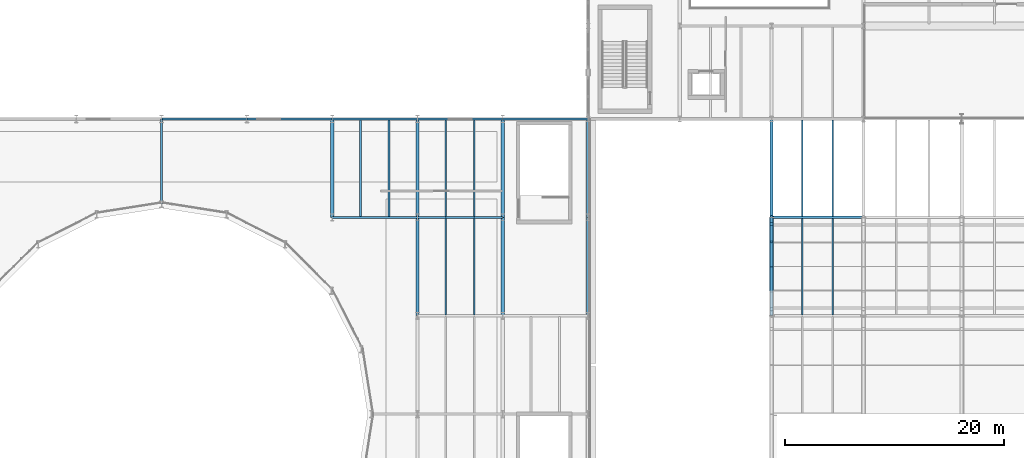
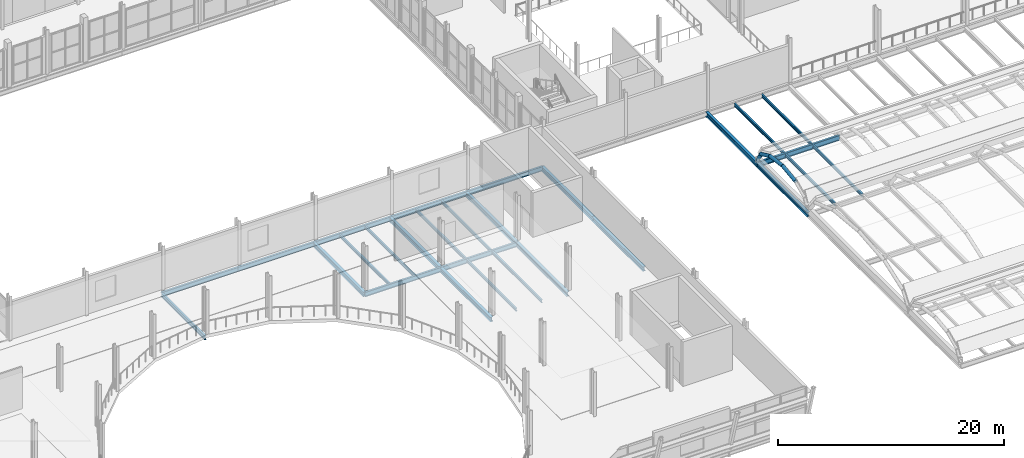
# One storey, part 21 of 63: 28 beams, 4 members.
"""IFC4 building model written with IfcOpenShell, lengths in metres."""

from ifc_helpers import new_model, si_unit, direction, frame, origin, origin_2d, place, context, subcontext, project, spatial, hollow_circle, i_section, extrude, material, material_profile, profile_set, type_object, element, save


model = new_model("IFC4")

# Units and contexts
model_context = context("Model", 3, precision=1e-05, world=origin(), true_north=direction((0.0, 1.0)))
body_context = subcontext(model_context, "Body", "Model", "MODEL_VIEW")
ifc_project = project(units=[si_unit("LENGTHUNIT", "METRE"), si_unit("AREAUNIT", "SQUARE_METRE"), si_unit("VOLUMEUNIT", "CUBIC_METRE"), si_unit("PLANEANGLEUNIT", "RADIAN"), si_unit("MASSUNIT", "GRAM", prefix="KILO")], contexts=[model_context])

# Site, building, storey
site_placement = place(None, origin())
site = spatial("IfcSite", under=ifc_project, at=site_placement, CompositionType="ELEMENT")
building_placement = place(site_placement, origin())
building = spatial("IfcBuilding", under=site, at=building_placement, Name="Sefraquen Railside Congress Hotel", CompositionType="ELEMENT")
storey_placement = place(building_placement, frame((0.0, 0.0, 11.39990234375)))
storey = spatial("IfcBuildingStorey", under=building, at=storey_placement, Name="L02", CompositionType="ELEMENT", Elevation=11.39990234375)

# Beams
ifc_material_1 = material(Name="Steel S355JR", Category="steel")
ifc_material_profile_1 = material_profile(ifc_material_1, i_section(OverallWidth=0.18994140625, OverallDepth=0.449951171875, WebThickness=0.009521484375, FlangeThickness=0.0146484375, FilletRadius=0.02099609375, at=origin_2d()), Name="IPE 450")
ifc_profile_set_1 = profile_set([ifc_material_profile_1], Name="Steel S355JR")
beam_type_1 = type_object("IfcBeamType", Name="TB-BM-450", PredefinedType="BEAM", material=ifc_profile_set_1)
beam_1_placement = place(storey_placement, frame((64.199951171875, 46.199951171875, -0.574951171875), z_axis=(0.0, 1.0, 0.0), x_axis=(-1.0, 0.0, 0.0)))
element("IfcBeam", 1, at=beam_1_placement, inside=storey, type_object=beam_type_1, Name="Floor beam BM-L02-0893", PredefinedType="BEAM", context=body_context, shape_type="SweptSolid", body=[
    extrude(i_section(OverallWidth=0.18994140625, OverallDepth=0.449951171875, WebThickness=0.009521484375, FlangeThickness=0.0146484375, FilletRadius=0.02099609375, at=origin_2d()), origin(), (0.0, 0.0, 1.0), 7.800048828125),
])
ifc_material_profile_2 = material_profile(ifc_material_1, i_section(OverallWidth=0.199951171875, OverallDepth=0.5, WebThickness=0.01025390625, FlangeThickness=0.01611328125, FilletRadius=0.02099609375, at=origin_2d()), Name="IPE 500")
ifc_profile_set_2 = profile_set([ifc_material_profile_2], Name="Steel S355JR")
beam_type_2 = type_object("IfcBeamType", Name="TB-BM-500", PredefinedType="BEAM", material=ifc_profile_set_2)
beam_2_placement = place(storey_placement, frame((79.800048828125, 45.0, -0.599853515625), z_axis=(1.0, 0.0, 0.0), x_axis=(0.0, 1.0, 0.0)))
element("IfcBeam", 2, at=beam_2_placement, inside=storey, type_object=beam_type_2, Name="Primary girder BM-L02-0707", PredefinedType="BEAM", context=body_context, shape_type="SweptSolid", body=[
    extrude(i_section(OverallWidth=0.199951171875, OverallDepth=0.5, WebThickness=0.01025390625, FlangeThickness=0.01611328125, FilletRadius=0.02099609375, at=origin_2d()), origin(), (0.0, 0.0, 1.0), 7.800048828125),
])
beam_3_placement = place(storey_placement, frame((87.60009765625, 45.0, -0.599853515625), z_axis=(1.0, 0.0, 0.0), x_axis=(0.0, 1.0, 0.0)))
element("IfcBeam", 3, at=beam_3_placement, inside=storey, type_object=beam_type_2, Name="Primary girder BM-L02-0708", PredefinedType="BEAM", context=body_context, shape_type="SweptSolid", body=[
    extrude(i_section(OverallWidth=0.199951171875, OverallDepth=0.5, WebThickness=0.01025390625, FlangeThickness=0.01611328125, FilletRadius=0.02099609375, at=origin_2d()), origin(), (0.0, 0.0, 1.0), 7.7998046875),
])
for number, where, z_axis, x_axis, name in (
    (4, (64.199951171875, 54.0, -0.599853515625), (1.0, 0.0, 0.0), (0.0, 1.0, 0.0), "Primary girder BM-L02-0719"),
    (5, (72.0, 54.0, -0.599853515625), (1.0, 0.0, 0.0), (0.0, 1.0, 0.0), "Primary girder BM-L02-0720"),
    (6, (79.800048828125, 54.0, -0.599853515625), (1.0, 0.0, 0.0), (0.0, 1.0, 0.0), "Primary girder BM-L02-0721"),
):
    element("IfcBeam", number, at=place(storey_placement, frame(where, z_axis=z_axis, x_axis=x_axis)), inside=storey, type_object=beam_type_2, Name=name, PredefinedType="BEAM", context=body_context, shape_type="SweptSolid", body=[
        extrude(i_section(OverallWidth=0.199951171875, OverallDepth=0.5, WebThickness=0.01025390625, FlangeThickness=0.01611328125, FilletRadius=0.02099609375, at=origin_2d()), origin(), (0.0, 0.0, 1.0), 7.800048828125),
    ])
beam_4_placement = place(storey_placement, frame((87.60009765625, 54.0, -0.599853515625), z_axis=(1.0, 0.0, 0.0), x_axis=(0.0, 1.0, 0.0)))
element("IfcBeam", 7, at=beam_4_placement, inside=storey, type_object=beam_type_2, Name="Primary girder BM-L02-0722", PredefinedType="BEAM", context=body_context, shape_type="SweptSolid", body=[
    extrude(i_section(OverallWidth=0.199951171875, OverallDepth=0.5, WebThickness=0.01025390625, FlangeThickness=0.01611328125, FilletRadius=0.02099609375, at=origin_2d()), origin(), (0.0, 0.0, 1.0), 7.7998046875),
])
beam_5_placement = place(storey_placement, frame((95.39990234375, 54.0, -0.599853515625), z_axis=(1.0, 0.0, 0.0), x_axis=(0.0, 1.0, 0.0)))
element("IfcBeam", 8, at=beam_5_placement, inside=storey, type_object=beam_type_2, Name="Primary girder BM-L02-0723", PredefinedType="BEAM", context=body_context, shape_type="SweptSolid", body=[
    extrude(i_section(OverallWidth=0.199951171875, OverallDepth=0.5, WebThickness=0.01025390625, FlangeThickness=0.01611328125, FilletRadius=0.02099609375, at=origin_2d()), origin(), (0.0, 0.0, 1.0), 7.800048828125),
])
ifc_material_profile_3 = material_profile(ifc_material_1, i_section(OverallWidth=0.300048828125, OverallDepth=0.489990234375, WebThickness=0.011962890625, FlangeThickness=0.02294921875, FilletRadius=0.027099609375, at=origin_2d()), Name="HEA 500")
ifc_profile_set_3 = profile_set([ifc_material_profile_3], Name="Steel S355JR")
beam_type_3 = type_object("IfcBeamType", Name="TB-GIR-500", PredefinedType="T_BEAM", material=ifc_profile_set_3)
for number, where, z_axis, x_axis, name in (
    (9, (79.800048828125, 45.0, -0.594970703125), (0.0, 1.0, 0.0), (-1.0, 0.0, 0.0), "Floor beam BM-L02-0902"),
    (10, (87.60009765625, 36.0, -0.594970703125), (0.0, 1.0, 0.0), (-1.0, 0.0, 0.0), "Floor beam BM-L02-0909"),
    (11, (87.60009765625, 45.0, -0.594970703125), (0.0, 1.0, 0.0), (-1.0, 0.0, 0.0), "Floor beam BM-L02-0910"),
    (12, (95.39990234375, 36.0, -0.594970703125), (0.0, 1.0, 0.0), (-1.0, 0.0, 0.0), "Floor beam BM-L02-0917"),
    (13, (95.39990234375, 45.0, -0.594970703125), (0.0, 1.0, 0.0), (-1.0, 0.0, 0.0), "Floor beam BM-L02-0918"),
    (14, (103.199951171875, 36.0, -0.594970703125), (0.0, 1.0, 0.0), (-1.0, 0.0, 0.0), "Floor beam BM-L02-0925"),
    (15, (103.199951171875, 45.0, -0.594970703125), (0.0, 1.0, 0.0), (-1.0, 0.0, 0.0), "Floor beam BM-L02-0926"),
    (16, (120.0, 36.0, -0.594970703125), (0.0, 1.0, 0.0), (-1.0, 0.0, 0.0), "Floor beam BM-L02-0946"),
    (17, (120.0, 45.0, -0.594970703125), (0.0, 1.0, 0.0), (-1.0, 0.0, 0.0), "Floor beam BM-L02-0947"),
):
    element("IfcBeam", number, at=place(storey_placement, frame(where, z_axis=z_axis, x_axis=x_axis)), inside=storey, type_object=beam_type_3, Name=name, PredefinedType="T_BEAM", context=body_context, shape_type="SweptSolid", body=[
        extrude(i_section(OverallWidth=0.300048828125, OverallDepth=0.489990234375, WebThickness=0.011962890625, FlangeThickness=0.02294921875, FilletRadius=0.027099609375, at=origin_2d()), origin(), (0.0, 0.0, 1.0), 9.0),
    ])
ifc_material_profile_4 = material_profile(ifc_material_1, i_section(OverallWidth=0.2099609375, OverallDepth=0.550048828125, WebThickness=0.010986328125, FlangeThickness=0.01708984375, FilletRadius=0.02392578125, at=origin_2d()), Name="IPE 550")
ifc_profile_set_4 = profile_set([ifc_material_profile_4], Name="Steel S355JR")
beam_type_4 = type_object("IfcBeamType", Name="TB-GIR-550", PredefinedType="T_BEAM", material=ifc_profile_set_4)
beam_6_placement = place(storey_placement, frame((120.0, 45.0, -0.625), z_axis=(1.0, 0.0, 0.0), x_axis=(0.0, 1.0, 0.0)))
element("IfcBeam", 18, at=beam_6_placement, inside=storey, type_object=beam_type_4, Name="Thermal Spa vault tension ring girder BM-L02-0709", PredefinedType="T_BEAM", context=body_context, shape_type="SweptSolid", body=[
    extrude(i_section(OverallWidth=0.2099609375, OverallDepth=0.550048828125, WebThickness=0.010986328125, FlangeThickness=0.01708984375, FilletRadius=0.02392578125, at=origin_2d()), origin(), (0.0, 0.0, 1.0), 8.39990234375),
])
ifc_material_profile_5 = material_profile(ifc_material_1, i_section(OverallWidth=0.159912109375, OverallDepth=0.330078125, WebThickness=0.007568359375, FlangeThickness=0.011474609375, FilletRadius=0.01806640625, at=origin_2d()), Name="IPE 330")
ifc_profile_set_5 = profile_set([ifc_material_profile_5], Name="Steel S355JR")
beam_type_5 = type_object("IfcBeamType", Name="TB-JST-330", PredefinedType="JOIST", material=ifc_profile_set_5)
for number, where, z_axis, x_axis, name in (
    (19, (82.39990234375, 45.080078125, -0.514892578125), (0.0, 1.0, 0.0), (-1.0, 0.0, 0.0), "Composite floor joist BM-L02-J0528"),
    (20, (85.0, 45.080078125, -0.514892578125), (0.0, 1.0, 0.0), (-1.0, 0.0, 0.0), "Composite floor joist BM-L02-J0529"),
    (21, (90.199951171875, 36.080078125, -0.514892578125), (0.0, 1.0, 0.0), (-1.0, 0.0, 0.0), "Composite floor joist BM-L02-J0542"),
    (22, (92.800048828125, 36.080078125, -0.514892578125), (0.0, 1.0, 0.0), (-1.0, 0.0, 0.0), "Composite floor joist BM-L02-J0543"),
    (23, (90.199951171875, 45.080078125, -0.514892578125), (0.0, 1.0, 0.0), (-1.0, 0.0, 0.0), "Composite floor joist BM-L02-J0544"),
    (24, (92.800048828125, 45.080078125, -0.514892578125), (0.0, 1.0, 0.0), (-1.0, 0.0, 0.0), "Composite floor joist BM-L02-J0545"),
):
    element("IfcBeam", number, at=place(storey_placement, frame(where, z_axis=z_axis, x_axis=x_axis)), inside=storey, type_object=beam_type_5, Name=name, PredefinedType="JOIST", context=body_context, shape_type="SweptSolid", body=[
        extrude(i_section(OverallWidth=0.159912109375, OverallDepth=0.330078125, WebThickness=0.007568359375, FlangeThickness=0.011474609375, FilletRadius=0.01806640625, at=origin_2d()), origin(), (0.0, 0.0, 1.0), 8.83984375),
    ])
for number, where, z_axis, x_axis, name in (
    (25, (122.800048828125, 36.0849609375, -0.514892578125), (0.0, 1.0, 0.0), (-1.0, 0.0, 0.0), "Composite floor joist BM-L02-J0590"),
    (26, (125.60009765625, 36.0849609375, -0.514892578125), (0.0, 1.0, 0.0), (-1.0, 0.0, 0.0), "Composite floor joist BM-L02-J0591"),
    (27, (122.800048828125, 45.0849609375, -0.514892578125), (0.0, 1.0, 0.0), (-1.0, 0.0, 0.0), "Composite floor joist BM-L02-J0592"),
    (28, (125.60009765625, 45.0849609375, -0.514892578125), (0.0, 1.0, 0.0), (-1.0, 0.0, 0.0), "Composite floor joist BM-L02-J0593"),
):
    element("IfcBeam", number, at=place(storey_placement, frame(where, z_axis=z_axis, x_axis=x_axis)), inside=storey, type_object=beam_type_5, Name=name, PredefinedType="JOIST", context=body_context, shape_type="SweptSolid", body=[
        extrude(i_section(OverallWidth=0.159912109375, OverallDepth=0.330078125, WebThickness=0.007568359375, FlangeThickness=0.011474609375, FilletRadius=0.01806640625, at=origin_2d()), origin(), (0.0, 0.0, 1.0), 8.830078125),
    ])

# Members
ifc_material_2 = material(Name="Steel S355J2", Category="steel")
ifc_material_profile_6 = material_profile(ifc_material_2, hollow_circle(Radius=0.177734375, WallThickness=0.01611328125, at=origin_2d()), Name="CHS 355.6x16")
ifc_profile_set_6 = profile_set([ifc_material_profile_6], Name="Steel S355J2")
member_type = type_object("IfcMemberType", Name="TM-VRAF-355", PredefinedType="RAFTER", material=ifc_profile_set_6)
for number, where, z_axis, x_axis, name in (
    (29, (120.0, 38.25, 1.63671875), (0.0, 0.992264619654, 0.124140745059), (-1.0, 0.0, 0.0), "Thermal Spa vault 3 arched rib 1.3"),
    (30, (120.0, 40.5, 1.918212890625), (0.0, 0.992264619654, -0.124140745059), (-1.0, 0.0, 0.0), "Thermal Spa vault 3 arched rib 1.4"),
):
    element("IfcMember", number, at=place(storey_placement, frame(where, z_axis=z_axis, x_axis=x_axis)), inside=storey, type_object=member_type, Name=name, PredefinedType="RAFTER", context=body_context, shape_type="SweptSolid", body=[
        extrude(hollow_circle(Radius=0.177734375, WallThickness=0.01611328125, at=origin_2d()), origin(), (0.0, 0.0, 1.0), 2.267578125),
    ])
member_1_placement = place(storey_placement, frame((120.0, 42.75, 1.63671875), z_axis=(0.0, 0.906214019908, -0.422819287783), x_axis=(-1.0, 0.0, 0.0)))
element("IfcMember", 31, at=member_1_placement, inside=storey, type_object=member_type, Name="Thermal Spa vault 3 arched rib 1.5", PredefinedType="RAFTER", context=body_context, shape_type="SweptSolid", body=[
    extrude(hollow_circle(Radius=0.177734375, WallThickness=0.01611328125, at=origin_2d()), origin(), (0.0, 0.0, 1.0), 1.817626953125),
])
member_2_placement = place(storey_placement, frame((120.0, 44.397216796875, 0.8681640625), z_axis=(0.0, 0.4949942083, -0.868896273297), x_axis=(-1.0, 0.0, 0.0)))
element("IfcMember", 32, at=member_2_placement, inside=storey, type_object=member_type, Name="Thermal Spa vault 3 arched rib 1.6", PredefinedType="RAFTER", context=body_context, shape_type="SweptSolid", body=[
    extrude(hollow_circle(Radius=0.177734375, WallThickness=0.01611328125, at=origin_2d()), origin(), (0.0, 0.0, 1.0), 1.2177734375),
])

save(model, "model.ifc")
